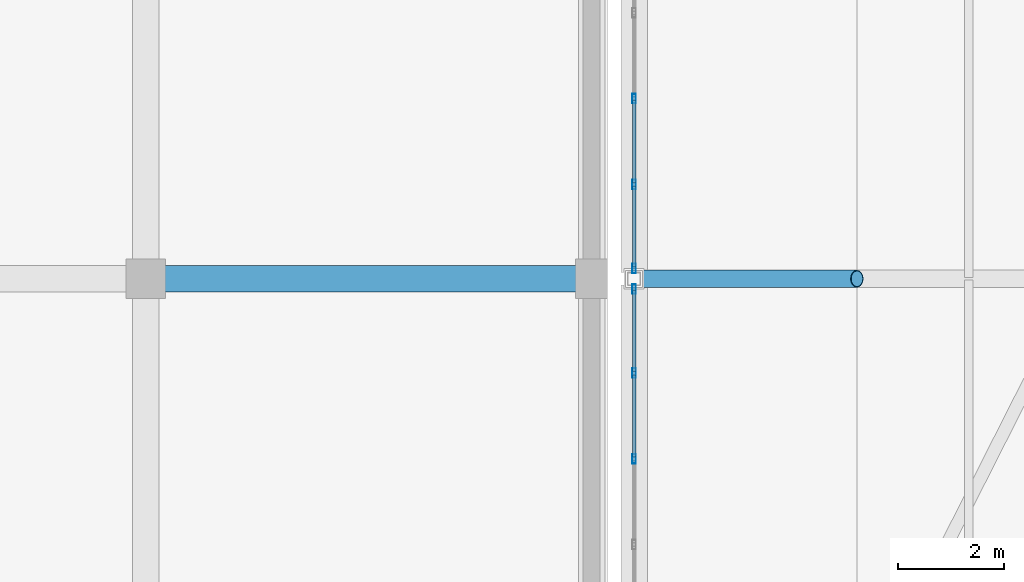
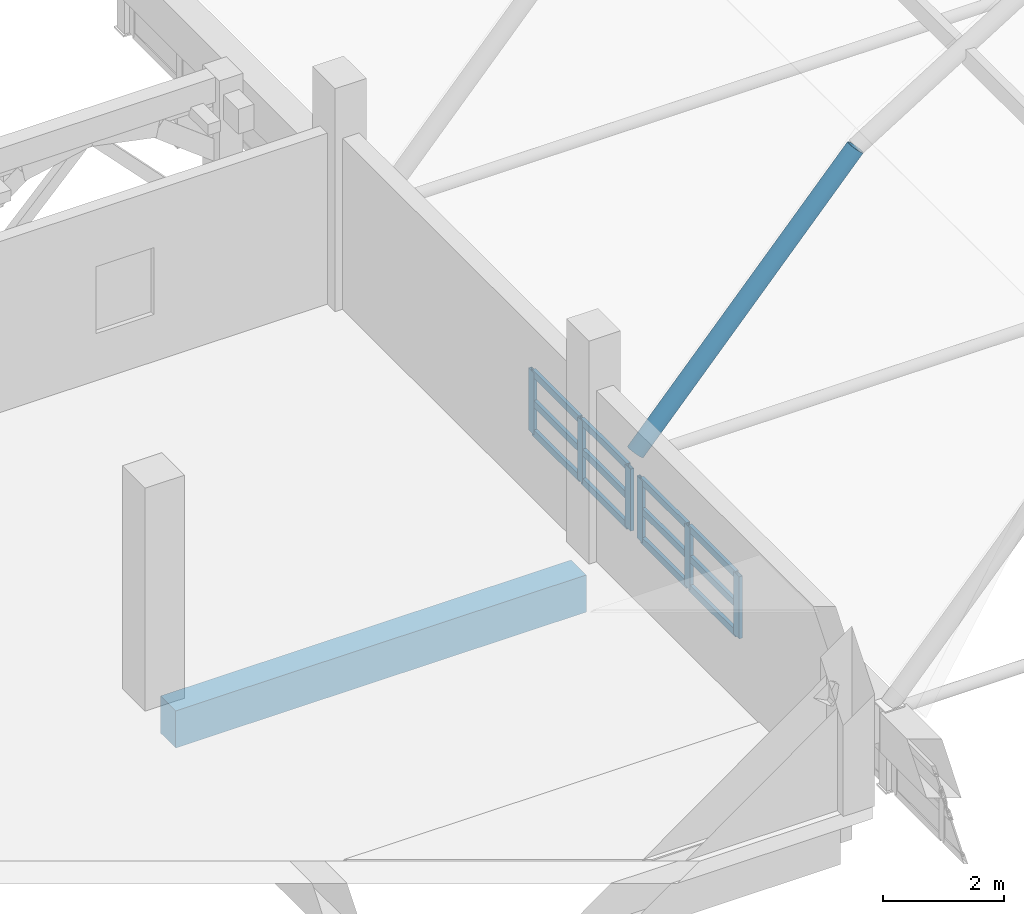
# One storey, part 61 of 114: 18 members, 2 beams, 2 elements without a shape of their own.
"""IFC4 building model written with IfcOpenShell, lengths in metres."""

from ifc_helpers import new_model, si_unit, direction, frame, origin, origin_2d, place, context, subcontext, project, spatial, rectangle, hollow_rectangle, hollow_circle, extrude, material, layer, layer_set, material_profile, profile_set, type_object, element, aggregate, save


model = new_model("IFC4")

# Units and contexts
model_context = context("Model", 3, precision=1e-05, world=origin(), true_north=direction((0.0, 1.0)))
body_context = subcontext(model_context, "Body", "Model", "MODEL_VIEW")
ifc_project = project(units=[si_unit("LENGTHUNIT", "METRE"), si_unit("AREAUNIT", "SQUARE_METRE"), si_unit("VOLUMEUNIT", "CUBIC_METRE"), si_unit("PLANEANGLEUNIT", "RADIAN"), si_unit("MASSUNIT", "GRAM", prefix="KILO")], contexts=[model_context])

# Site, building, storey
site_placement = place(None, origin())
site = spatial("IfcSite", under=ifc_project, at=site_placement, CompositionType="ELEMENT")
building_placement = place(site_placement, origin())
building = spatial("IfcBuilding", under=site, at=building_placement, Name="Xazarin Passage Department Store", CompositionType="ELEMENT")
storey_placement = place(building_placement, frame((0.0, 0.0, 14.39990234375)))
storey = spatial("IfcBuildingStorey", under=building, at=storey_placement, Name="L03", CompositionType="ELEMENT", Elevation=14.39990234375)

# Curtain wall, members
ifc_material_1 = material(Name="Bronze anodised aluminium", Category="aluminium")
ifc_layer = layer(ifc_material_1, 0.159912109375)
ifc_layer_set = layer_set([ifc_layer], Name="Bronze anodised aluminium")
curtain_wall_type = type_object("IfcCurtainWallType", Name="ARC-CW-ARC1", PredefinedType="NOTDEFINED", material=ifc_layer_set)
curtain_wall_1_placement = place(storey_placement, origin())
curtain_wall_1 = element("IfcCurtainWall", 1, at=curtain_wall_1_placement, inside=storey, type_object=curtain_wall_type, Name="L03 V2N Galleria Clerestory Curtain Wall 3W", PredefinedType="NOTDEFINED")
ifc_material_profile_1 = material_profile(ifc_material_1, hollow_rectangle(XDim=0.06494140625, YDim=0.179931640625, WallThickness=0.00390625, at=origin_2d()), Name="ALU 65x180")
ifc_profile_set_1 = profile_set([ifc_material_profile_1], Name="Bronze anodised aluminium")
member_type_1 = type_object("IfcMemberType", Name="ARC-CWM-65x180", PredefinedType="MULLION", material=ifc_profile_set_1)
member_1_placement = place(storey_placement, frame((68.0, 73.008056640625, 0.0), z_axis=(0.0, 0.0, 1.0), x_axis=(-1.0, 0.0, 0.0)))
member_1 = element("IfcMember", 2, at=member_1_placement, type_object=member_type_1, Name="CW3 mullion 4", PredefinedType="MULLION", context=body_context, shape_type="SweptSolid", body=[
    extrude(hollow_rectangle(XDim=0.06494140625, YDim=0.179931640625, WallThickness=0.00390625, at=origin_2d()), origin(), (0.0, 0.0, 1.0), 1.251708984375),
])
member_2_placement = place(storey_placement, frame((68.0, 74.6240234375, 0.0), z_axis=(0.0, 0.0, 1.0), x_axis=(-1.0, 0.0, 0.0)))
member_2 = element("IfcMember", 3, at=member_2_placement, type_object=member_type_1, Name="CW3 mullion 5", PredefinedType="MULLION", context=body_context, shape_type="SweptSolid", body=[
    extrude(hollow_rectangle(XDim=0.06494140625, YDim=0.179931640625, WallThickness=0.00390625, at=origin_2d()), origin(), (0.0, 0.0, 1.0), 1.251708984375),
])
member_3_placement = place(storey_placement, frame((68.0, 76.20751953125, 0.0), z_axis=(0.0, 0.0, 1.0), x_axis=(-1.0, 0.0, 0.0)))
member_3 = element("IfcMember", 4, at=member_3_placement, type_object=member_type_1, Name="CW3 mullion 6", PredefinedType="MULLION", context=body_context, shape_type="SweptSolid", body=[
    extrude(hollow_rectangle(XDim=0.06494140625, YDim=0.179931640625, WallThickness=0.00390625, at=origin_2d()), origin(), (0.0, 0.0, 1.0), 1.251708984375),
])

curtain_wall_2_placement = place(storey_placement, origin())
curtain_wall_2 = element("IfcCurtainWall", 5, at=curtain_wall_2_placement, inside=storey, type_object=curtain_wall_type, Name="L03 V2N Galleria Clerestory Curtain Wall 4W", PredefinedType="NOTDEFINED")
member_4_placement = place(storey_placement, frame((68.0, 76.592529296875, 0.0), z_axis=(0.0, 0.0, 1.0), x_axis=(-1.0, 0.0, 0.0)))
member_4 = element("IfcMember", 6, at=member_4_placement, type_object=member_type_1, Name="CW3 mullion 1", PredefinedType="MULLION", context=body_context, shape_type="SweptSolid", body=[
    extrude(hollow_rectangle(XDim=0.06494140625, YDim=0.179931640625, WallThickness=0.00390625, at=origin_2d()), origin(), (0.0, 0.0, 1.0), 1.251708984375),
])
member_5_placement = place(storey_placement, frame((68.0, 78.176025390625, 0.0), z_axis=(0.0, 0.0, 1.0), x_axis=(-1.0, 0.0, 0.0)))
member_5 = element("IfcMember", 7, at=member_5_placement, type_object=member_type_1, Name="CW3 mullion 2", PredefinedType="MULLION", context=body_context, shape_type="SweptSolid", body=[
    extrude(hollow_rectangle(XDim=0.06494140625, YDim=0.179931640625, WallThickness=0.00390625, at=origin_2d()), origin(), (0.0, 0.0, 1.0), 1.251708984375),
])
member_6_placement = place(storey_placement, frame((68.0, 79.7919921875, 0.0), z_axis=(0.0, 0.0, 1.0), x_axis=(-1.0, 0.0, 0.0)))
member_6 = element("IfcMember", 8, at=member_6_placement, type_object=member_type_1, Name="CW3 mullion 3", PredefinedType="MULLION", context=body_context, shape_type="SweptSolid", body=[
    extrude(hollow_rectangle(XDim=0.06494140625, YDim=0.179931640625, WallThickness=0.00390625, at=origin_2d()), origin(), (0.0, 0.0, 1.0), 1.251708984375),
])

# Member
ifc_material_profile_2 = material_profile(ifc_material_1, hollow_rectangle(XDim=0.06494140625, YDim=0.139892578125, WallThickness=0.00390625, at=origin_2d()), Name="ALU 65x140")
ifc_profile_set_2 = profile_set([ifc_material_profile_2], Name="Bronze anodised aluminium")
member_type_2 = type_object("IfcMemberType", Name="ARC-CWT-65x140", PredefinedType="USERDEFINED", material=ifc_profile_set_2)
member_7_placement = place(storey_placement, frame((68.0, 73.04052734375, 0.03271484375), z_axis=(0.0, 1.0, 0.0), x_axis=(-1.0, 0.0, 0.0)))
member_7 = element("IfcMember", 9, at=member_7_placement, type_object=member_type_2, Name="CW3 transom 4.1", ObjectType="TRANSOM", PredefinedType="USERDEFINED", context=body_context, shape_type="SweptSolid", body=[
    extrude(hollow_rectangle(XDim=0.06494140625, YDim=0.139892578125, WallThickness=0.00390625, at=origin_2d()), origin(), (0.0, 0.0, 1.0), 1.551025390625),
])

member_8_placement = place(storey_placement, frame((68.0, 73.04052734375, 0.6259765625), z_axis=(0.0, 1.0, 0.0), x_axis=(-1.0, 0.0, 0.0)))
member_8 = element("IfcMember", 10, at=member_8_placement, type_object=member_type_2, Name="CW3 transom 4.2", ObjectType="TRANSOM", PredefinedType="USERDEFINED", context=body_context, shape_type="SweptSolid", body=[
    extrude(hollow_rectangle(XDim=0.06494140625, YDim=0.139892578125, WallThickness=0.00390625, at=origin_2d()), origin(), (0.0, 0.0, 1.0), 1.551025390625),
])

member_9_placement = place(storey_placement, frame((68.0, 73.04052734375, 1.21923828125), z_axis=(0.0, 1.0, 0.0), x_axis=(-1.0, 0.0, 0.0)))
member_9 = element("IfcMember", 11, at=member_9_placement, type_object=member_type_2, Name="CW3 transom 4.3", ObjectType="TRANSOM", PredefinedType="USERDEFINED", context=body_context, shape_type="SweptSolid", body=[
    extrude(hollow_rectangle(XDim=0.06494140625, YDim=0.139892578125, WallThickness=0.00390625, at=origin_2d()), origin(), (0.0, 0.0, 1.0), 1.551025390625),
])

member_10_placement = place(storey_placement, frame((68.0, 74.656494140625, 0.03271484375), z_axis=(0.0, 1.0, 0.0), x_axis=(-1.0, 0.0, 0.0)))
member_10 = element("IfcMember", 12, at=member_10_placement, type_object=member_type_2, Name="CW3 transom 5.1", ObjectType="TRANSOM", PredefinedType="USERDEFINED", context=body_context, shape_type="SweptSolid", body=[
    extrude(hollow_rectangle(XDim=0.06494140625, YDim=0.139892578125, WallThickness=0.00390625, at=origin_2d()), origin(), (0.0, 0.0, 1.0), 1.5185546875),
])

member_11_placement = place(storey_placement, frame((68.0, 74.656494140625, 0.6259765625), z_axis=(0.0, 1.0, 0.0), x_axis=(-1.0, 0.0, 0.0)))
member_11 = element("IfcMember", 13, at=member_11_placement, type_object=member_type_2, Name="CW3 transom 5.2", ObjectType="TRANSOM", PredefinedType="USERDEFINED", context=body_context, shape_type="SweptSolid", body=[
    extrude(hollow_rectangle(XDim=0.06494140625, YDim=0.139892578125, WallThickness=0.00390625, at=origin_2d()), origin(), (0.0, 0.0, 1.0), 1.5185546875),
])

member_12_placement = place(storey_placement, frame((68.0, 74.656494140625, 1.21923828125), z_axis=(0.0, 1.0, 0.0), x_axis=(-1.0, 0.0, 0.0)))
member_12 = element("IfcMember", 14, at=member_12_placement, type_object=member_type_2, Name="CW3 transom 5.3", ObjectType="TRANSOM", PredefinedType="USERDEFINED", context=body_context, shape_type="SweptSolid", body=[
    extrude(hollow_rectangle(XDim=0.06494140625, YDim=0.139892578125, WallThickness=0.00390625, at=origin_2d()), origin(), (0.0, 0.0, 1.0), 1.5185546875),
])

aggregate(curtain_wall_1, [member_1, member_2, member_3, member_7, member_8, member_9, member_10, member_11, member_12])

member_13_placement = place(storey_placement, frame((68.0, 76.625, 0.03271484375), z_axis=(0.0, 1.0, 0.0), x_axis=(-1.0, 0.0, 0.0)))
member_13 = element("IfcMember", 15, at=member_13_placement, type_object=member_type_2, Name="CW3 transom 1.1", ObjectType="TRANSOM", PredefinedType="USERDEFINED", context=body_context, shape_type="SweptSolid", body=[
    extrude(hollow_rectangle(XDim=0.06494140625, YDim=0.139892578125, WallThickness=0.00390625, at=origin_2d()), origin(), (0.0, 0.0, 1.0), 1.5185546875),
])

member_14_placement = place(storey_placement, frame((68.0, 76.625, 0.6259765625), z_axis=(0.0, 1.0, 0.0), x_axis=(-1.0, 0.0, 0.0)))
member_14 = element("IfcMember", 16, at=member_14_placement, type_object=member_type_2, Name="CW3 transom 1.2", ObjectType="TRANSOM", PredefinedType="USERDEFINED", context=body_context, shape_type="SweptSolid", body=[
    extrude(hollow_rectangle(XDim=0.06494140625, YDim=0.139892578125, WallThickness=0.00390625, at=origin_2d()), origin(), (0.0, 0.0, 1.0), 1.5185546875),
])

member_15_placement = place(storey_placement, frame((68.0, 76.625, 1.21923828125), z_axis=(0.0, 1.0, 0.0), x_axis=(-1.0, 0.0, 0.0)))
member_15 = element("IfcMember", 17, at=member_15_placement, type_object=member_type_2, Name="CW3 transom 1.3", ObjectType="TRANSOM", PredefinedType="USERDEFINED", context=body_context, shape_type="SweptSolid", body=[
    extrude(hollow_rectangle(XDim=0.06494140625, YDim=0.139892578125, WallThickness=0.00390625, at=origin_2d()), origin(), (0.0, 0.0, 1.0), 1.5185546875),
])

member_16_placement = place(storey_placement, frame((68.0, 78.20849609375, 0.03271484375), z_axis=(0.0, 1.0, 0.0), x_axis=(-1.0, 0.0, 0.0)))
member_16 = element("IfcMember", 18, at=member_16_placement, type_object=member_type_2, Name="CW3 transom 2.1", ObjectType="TRANSOM", PredefinedType="USERDEFINED", context=body_context, shape_type="SweptSolid", body=[
    extrude(hollow_rectangle(XDim=0.06494140625, YDim=0.139892578125, WallThickness=0.00390625, at=origin_2d()), origin(), (0.0, 0.0, 1.0), 1.551025390625),
])

member_17_placement = place(storey_placement, frame((68.0, 78.20849609375, 0.6259765625), z_axis=(0.0, 1.0, 0.0), x_axis=(-1.0, 0.0, 0.0)))
member_17 = element("IfcMember", 19, at=member_17_placement, type_object=member_type_2, Name="CW3 transom 2.2", ObjectType="TRANSOM", PredefinedType="USERDEFINED", context=body_context, shape_type="SweptSolid", body=[
    extrude(hollow_rectangle(XDim=0.06494140625, YDim=0.139892578125, WallThickness=0.00390625, at=origin_2d()), origin(), (0.0, 0.0, 1.0), 1.551025390625),
])

member_18_placement = place(storey_placement, frame((68.0, 78.20849609375, 1.21923828125), z_axis=(0.0, 1.0, 0.0), x_axis=(-1.0, 0.0, 0.0)))
member_18 = element("IfcMember", 20, at=member_18_placement, type_object=member_type_2, Name="CW3 transom 2.3", ObjectType="TRANSOM", PredefinedType="USERDEFINED", context=body_context, shape_type="SweptSolid", body=[
    extrude(hollow_rectangle(XDim=0.06494140625, YDim=0.139892578125, WallThickness=0.00390625, at=origin_2d()), origin(), (0.0, 0.0, 1.0), 1.551025390625),
])

aggregate(curtain_wall_2, [member_4, member_5, member_6, member_13, member_14, member_15, member_16, member_17, member_18])

# Beams
ifc_material_2 = material(Name="Steel S355", Category="steel")
ifc_material_profile_3 = material_profile(ifc_material_2, hollow_circle(Radius=0.161865234375, WallThickness=0.01611328125, at=origin_2d()), Name="CHS 323.9x16")
ifc_profile_set_3 = profile_set([ifc_material_profile_3], Name="Steel S355")
beam_type_1 = type_object("IfcBeamType", Name="STR-BM-AR324", PredefinedType="BEAM", material=ifc_profile_set_3)
beam_1_placement = place(storey_placement, frame((68.0, 76.39990234375, 1.65185546875), z_axis=(0.667891545417, 0.0, 0.74425861336), x_axis=(0.0, 1.0, 0.0)))
element("IfcBeam", 21, at=beam_1_placement, inside=storey, type_object=beam_type_1, Name="V2N Primary Arch Rib 4.1", PredefinedType="BEAM", context=body_context, shape_type="SweptSolid", body=[
    extrude(hollow_circle(Radius=0.161865234375, WallThickness=0.01611328125, at=origin_2d()), origin(), (0.0, 0.0, 1.0), 6.288330078125),
])
ifc_material_3 = material(Name="Concrete C35/45", Category="concrete")
ifc_material_profile_4 = material_profile(ifc_material_3, rectangle(XDim=0.5, YDim=0.75, at=origin_2d()), Name="RC 500x750")
ifc_profile_set_4 = profile_set([ifc_material_profile_4], Name="Concrete C35/45")
beam_type_2 = type_object("IfcBeamType", Name="STR-BM-SP500x750", PredefinedType="SPANDREL", material=ifc_profile_set_4)
beam_2_placement = place(storey_placement, frame((59.080078125, 76.39990234375, -0.6748046875), z_axis=(1.0, 0.0, 0.0), x_axis=(0.0, 1.0, 0.0)))
element("IfcBeam", 22, at=beam_2_placement, inside=storey, type_object=beam_type_2, Name="L03 Grid Beam L/8-9", PredefinedType="SPANDREL", context=body_context, shape_type="SweptSolid", body=[
    extrude(rectangle(XDim=0.5, YDim=0.75, at=origin_2d()), origin(), (0.0, 0.0, 1.0), 7.83984375),
])

save(model, "model.ifc")
